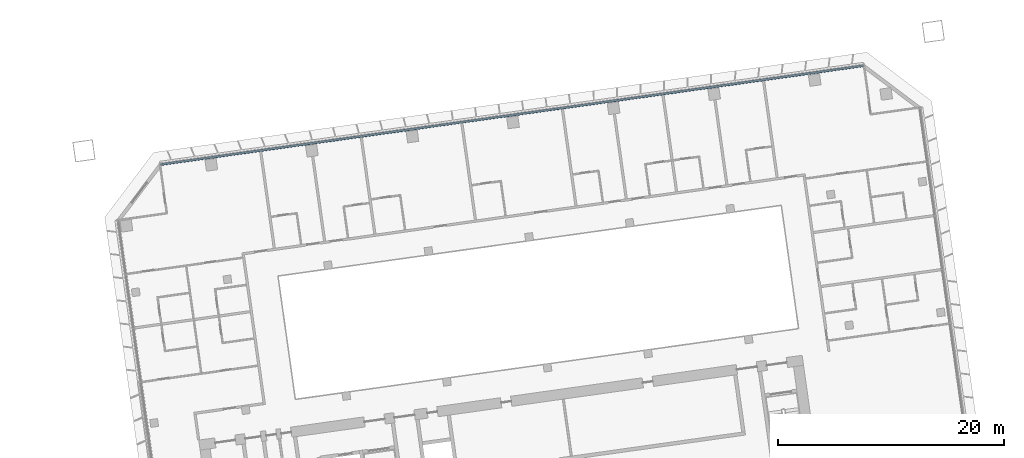
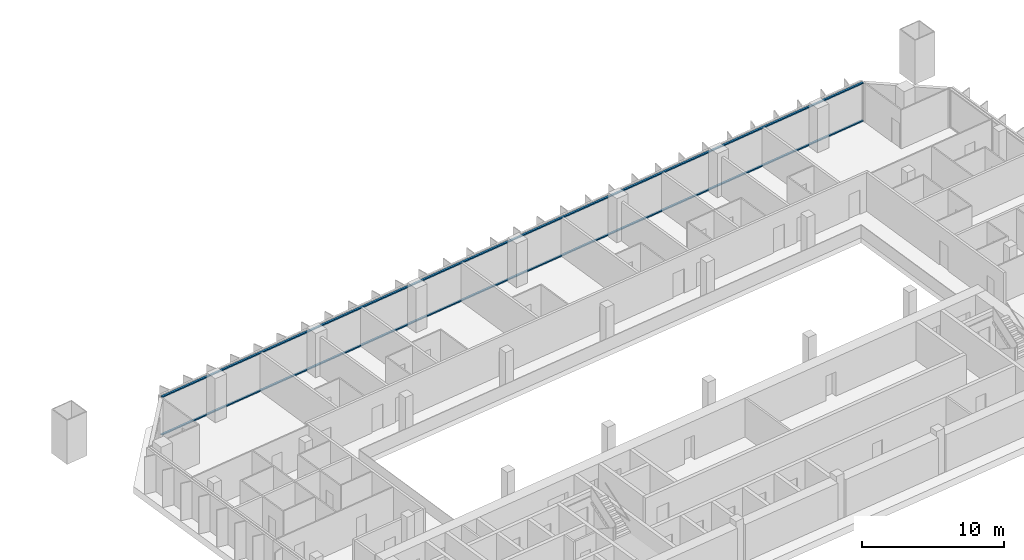
# One storey, part 9 of 25: 2 members, 1 element without a shape of its own.
"""IFC4 building model written with IfcOpenShell, lengths in metres."""

from ifc_helpers import new_model, si_unit, direction, frame, origin, origin_2d, place, context, subcontext, project, spatial, rectangle, extrude, material, material_profile, profile_set, type_object, element, aggregate, save


model = new_model("IFC4")

# Units and contexts
model_context = context("Model", 3, precision=1e-05, world=origin(), true_north=direction((0.0, 1.0)))
body_context = subcontext(model_context, "Body", "Model", "MODEL_VIEW")
ifc_project = project(units=[si_unit("LENGTHUNIT", "METRE"), si_unit("AREAUNIT", "SQUARE_METRE"), si_unit("VOLUMEUNIT", "CUBIC_METRE"), si_unit("PLANEANGLEUNIT", "RADIAN"), si_unit("MASSUNIT", "GRAM", prefix="KILO")], contexts=[model_context])

# Site, building, storey
site_placement = place(None, origin())
site = spatial("IfcSite", under=ifc_project, at=site_placement, CompositionType="ELEMENT")
building_placement = place(site_placement, origin())
building = spatial("IfcBuilding", under=site, at=building_placement, Name="Mirante Cascada Hotel Towers", CompositionType="ELEMENT")
storey_placement = place(building_placement, frame((0.0, 0.0, 73.7)))
storey = spatial("IfcBuildingStorey", under=building, at=storey_placement, Name="L15", CompositionType="ELEMENT", Elevation=73.7)

# Curtain wall, members
ifc_material_1 = material(Name="Aluminium mullion and transom frame with clear laminated glass", Category="aluminium")
curtain_wall_type = type_object("IfcCurtainWallType", Name="Ribbon curtain wall ECW1", PredefinedType="NOTDEFINED", material=ifc_material_1)
curtain_wall_placement = place(storey_placement, origin())
curtain_wall = element("IfcCurtainWall", 1, at=curtain_wall_placement, inside=storey, type_object=curtain_wall_type, Name="Front ribbon wall T2 L15", PredefinedType="NOTDEFINED")
ifc_material_2 = material(Name="Anodised aluminium extrusion", Category="aluminium")
ifc_material_profile = material_profile(ifc_material_2, rectangle(XDim=0.16, YDim=0.1, at=origin_2d()), Name="ECW1 TRANSOM 100x160")
ifc_profile_set = profile_set([ifc_material_profile], Name="Anodised aluminium extrusion")
member_type = type_object("IfcMemberType", Name="ECW1 transom 100x160", PredefinedType="USERDEFINED", material=ifc_profile_set)
member_1_placement = place(storey_placement, frame((94.1582, 26.0521, 0.05), z_axis=(-0.9902681, -0.1391728, 0.0), x_axis=(0.1391728, -0.9902681, 0.0)))
member_1 = element("IfcMember", 2, at=member_1_placement, type_object=member_type, Name="ECW1 sill transom", ObjectType="TRANSOM", PredefinedType="USERDEFINED", context=body_context, shape_type="SweptSolid", body=[
    extrude(rectangle(XDim=0.16, YDim=0.1, at=origin_2d()), origin(), (0.0, 0.0, 1.0), 62.8758),
])
member_2_placement = place(storey_placement, frame((94.1582, 26.0521, 3.3), z_axis=(-0.9902681, -0.1391728, 0.0), x_axis=(0.1391728, -0.9902681, 0.0)))
member_2 = element("IfcMember", 3, at=member_2_placement, type_object=member_type, Name="ECW1 head transom", ObjectType="TRANSOM", PredefinedType="USERDEFINED", context=body_context, shape_type="SweptSolid", body=[
    extrude(rectangle(XDim=0.16, YDim=0.1, at=origin_2d()), origin(), (0.0, 0.0, 1.0), 62.8758),
])
aggregate(curtain_wall, [member_1, member_2])

save(model, "model.ifc")
